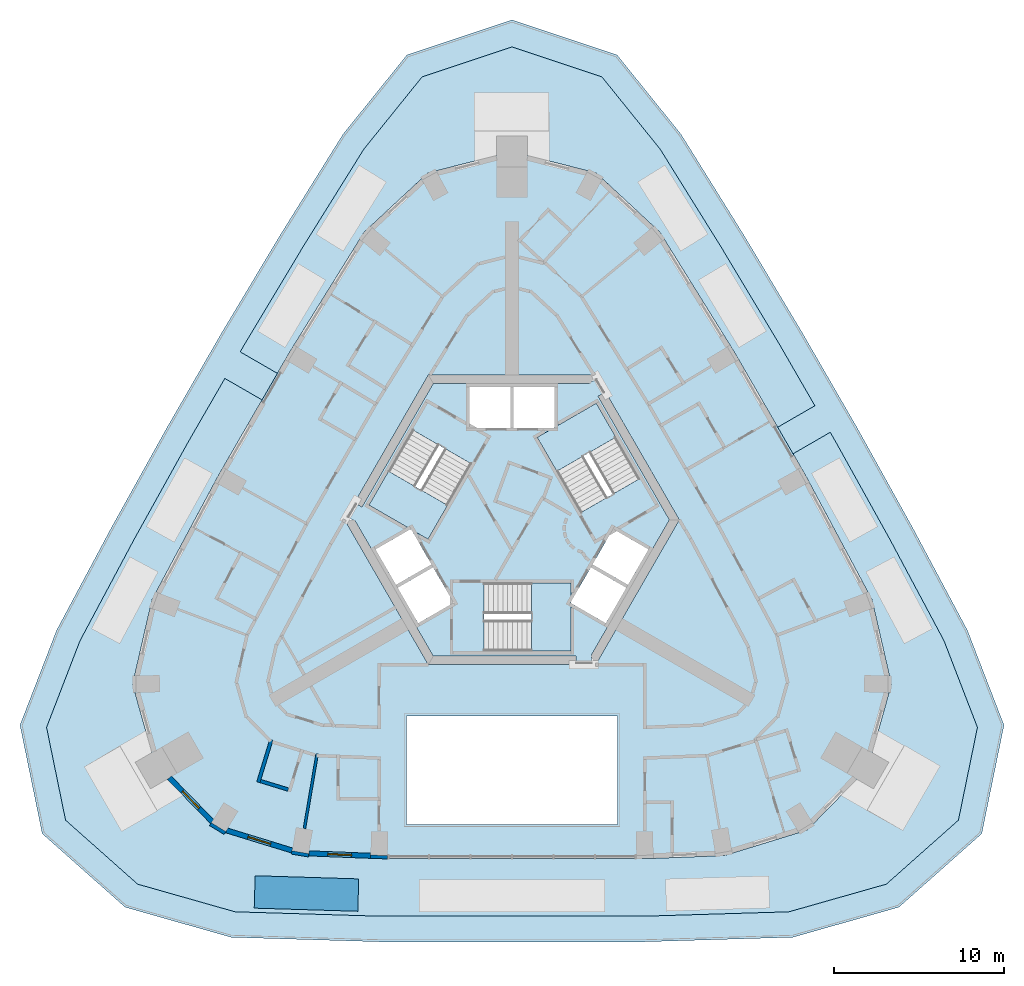
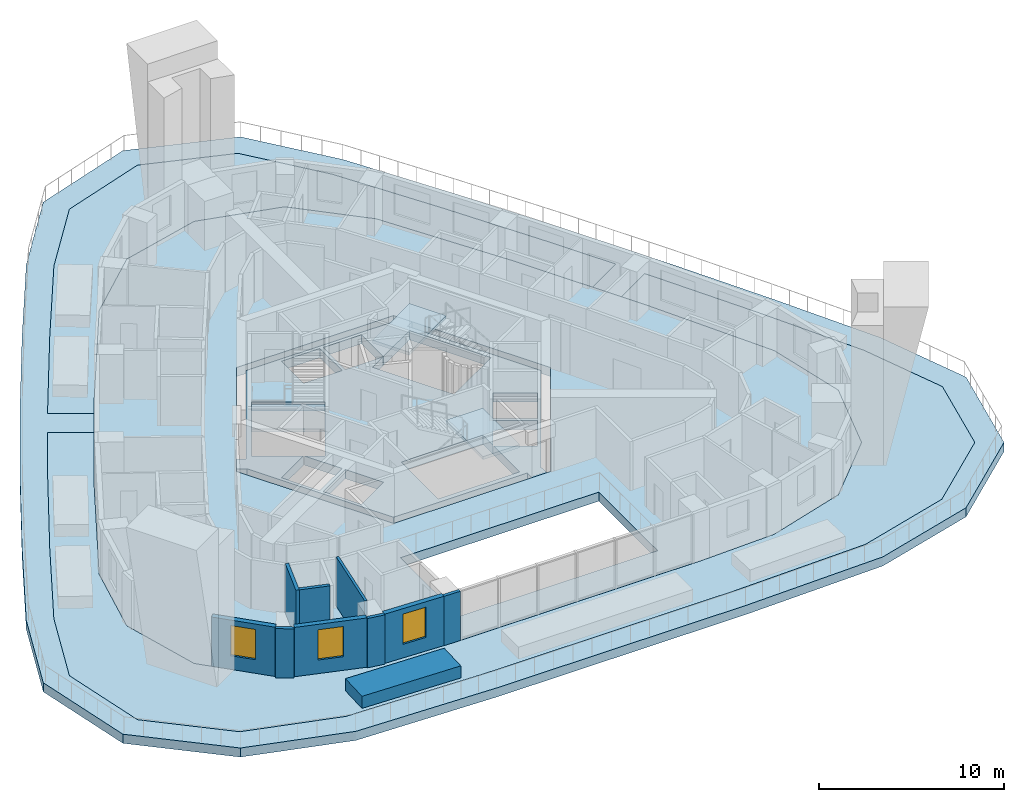
# One storey, part 2 of 12: 10 walls, 8 slabs, 3 windows, 3 openings, 3 elements without a shape of their own.
"""IFC4 building model written with IfcOpenShell, lengths in metres."""

from ifc_helpers import new_model, si_unit, direction, frame, frame_2d, origin, place, context, subcontext, project, spatial, polyline, rectangle, outline, extrude, material, layer, layer_set, type_object, element, fill, aggregate, save


model = new_model("IFC4")

# Units and contexts
model_context = context("Model", 3, precision=1e-05, world=origin(), true_north=direction((0.0, 1.0)))
body_context = subcontext(model_context, "Body", "Model", "MODEL_VIEW")
ifc_project = project(units=[si_unit("LENGTHUNIT", "METRE"), si_unit("AREAUNIT", "SQUARE_METRE"), si_unit("VOLUMEUNIT", "CUBIC_METRE"), si_unit("PLANEANGLEUNIT", "RADIAN"), si_unit("MASSUNIT", "GRAM", prefix="KILO")], contexts=[model_context])

# Site, building, storey
site_placement = place(None, origin())
site = spatial("IfcSite", under=ifc_project, at=site_placement, CompositionType="ELEMENT")
building_placement = place(site_placement, origin())
building = spatial("IfcBuilding", under=site, at=building_placement, Name="Entoto Arch Interchange Tower", CompositionType="ELEMENT")
storey_placement = place(building_placement, frame((0.0, 0.0, 286.39990234375)))
storey = spatial("IfcBuildingStorey", under=building, at=storey_placement, Name="L66", CompositionType="ELEMENT", Elevation=286.39990234375)

# Slab
ifc_material_1 = material(Name="Concrete C40/50", Category="concrete")
ifc_layer_1 = layer(ifc_material_1, 0.60009765625)
ifc_layer_set_1 = layer_set([ifc_layer_1], Name="Concrete C40/50")
slab_type_1 = type_object("IfcSlabType", Name="Core floor slab 600 C40/50", PredefinedType="FLOOR", material=ifc_layer_set_1)
slab_1_placement = place(storey_placement, frame((0.0, 0.0, -0.599853515625)))
element("IfcSlab", 1, at=slab_1_placement, inside=storey, type_object=slab_type_1, Name="Core floor slab L66", PredefinedType="FLOOR", context=body_context, shape_type="SweptSolid", body=[
    extrude(outline(polyline([(-9.208984375, 2.449951171875), (-9.222900390625, 2.425048828125), (-9.699951171875, 2.699951171875), (-9.236083984375, 3.501953125), (-8.802978515625, 3.2529296875), (-4.618896484375, 10.5), (4.56103515625, 10.5), (4.5458984375, 10.52490234375), (5.02197265625, 10.800048828125), (5.486083984375, 9.998046875), (5.052978515625, 9.748046875), (9.238037109375, 2.5), (4.64794921875, -5.449951171875), (4.676025390625, -5.449951171875), (4.676025390625, -6.0), (3.75, -6.0), (3.75, -5.5), (-4.618896484375, -5.5), (-9.208984375, 2.449951171875)]), holes=[polyline([(-1.64990234375, -5.199951171875), (3.449951171875, -5.199951171875), (3.449951171875, -2.3779296875), (5.5048828125, -3.56494140625), (6.705078125, -1.487060546875), (4.626953125, -0.287109375), (3.449951171875, -2.324951171875), (3.449951171875, -1.199951171875), (-1.64990234375, -1.199951171875), (-1.64990234375, -5.199951171875)]), polyline([(-4.626953125, -0.287109375), (-6.705078125, -1.487060546875), (-5.5048828125, -3.56494140625), (-3.427001953125, -2.364990234375), (-4.626953125, -0.287109375)]), polyline([(-5.904052734375, 1.925048828125), (-4.928955078125, 1.362060546875), (-2.37890625, 5.779052734375), (-5.843017578125, 7.779052734375), (-8.39306640625, 3.362060546875), (-5.949951171875, 1.951904296875), (-8.0048828125, 0.764892578125), (-6.804931640625, -1.31298828125), (-4.72705078125, -0.113037109375), (-5.904052734375, 1.925048828125)]), polyline([(4.72705078125, -0.113037109375), (6.804931640625, -1.31298828125), (8.0048828125, 0.764892578125), (5.927001953125, 1.965087890625), (4.72705078125, -0.113037109375)]), polyline([(2.5, 7.927001953125), (2.5, 10.300048828125), (0.10009765625, 10.300048828125), (0.10009765625, 7.89990234375), (2.452880859375, 7.89990234375), (1.47900390625, 7.337890625), (4.029052734375, 2.9208984375), (7.492919921875, 4.9208984375), (4.943115234375, 9.337890625), (2.5, 7.927001953125)]), polyline([(-2.5, 7.89990234375), (-0.10009765625, 7.89990234375), (-0.10009765625, 10.300048828125), (-2.5, 10.300048828125), (-2.5, 7.89990234375)])]), origin(), (0.0, 0.0, 1.0), 0.599853515625),
])

# Stair, slab
stair_type = type_object("IfcStairType", Name="EXIT STAIR RC 1800", PredefinedType="HALF_TURN_STAIR", material=ifc_material_1)
stair_1_placement = place(storey_placement, origin())
stair_1 = element("IfcStair", 2, at=stair_1_placement, inside=storey, type_object=stair_type, Name="L66 Exit stair S", PredefinedType="HALF_TURN_STAIR")
ifc_layer_2 = layer(ifc_material_1, 0.199951171875)
ifc_layer_set_2 = layer_set([ifc_layer_2], Name="Concrete C40/50")
slab_type_2 = type_object("IfcSlabType", Name="EXIT STAIR LANDING RC 200", PredefinedType="LANDING", material=ifc_layer_set_2)
slab_2_placement = place(storey_placement, frame((0.0, 0.0, 1.60009765625)))
slab_2 = element("IfcSlab", 3, at=slab_2_placement, type_object=slab_type_2, Name="ST-S landing 1", PredefinedType="LANDING", context=body_context, shape_type="SweptSolid", body=[
    extrude(outline(polyline([(1.14990234375, -5.199951171875), (3.449951171875, -5.199951171875), (3.449951171875, -1.199951171875), (1.14990234375, -1.199951171875), (1.14990234375, -5.199951171875)])), origin(), (0.0, 0.0, 1.0), 0.199951171875),
])
aggregate(stair_1, [slab_2])

stair_2_placement = place(storey_placement, origin())
stair_2 = element("IfcStair", 4, at=stair_2_placement, inside=storey, type_object=stair_type, Name="L66 Exit stair NE", PredefinedType="HALF_TURN_STAIR")
slab_3_placement = place(storey_placement, frame((0.0, 0.0, 1.60009765625)))
slab_3 = element("IfcSlab", 5, at=slab_3_placement, type_object=slab_type_2, Name="ST-NE landing 1", PredefinedType="LANDING", context=body_context, shape_type="SweptSolid", body=[
    extrude(outline(polyline([(6.093505859375, 7.345947265625), (4.943359375, 9.337890625), (1.479248046875, 7.337890625), (2.62939453125, 5.345947265625), (6.093505859375, 7.345947265625)])), origin(), (0.0, 0.0, 1.0), 0.199951171875),
])
aggregate(stair_2, [slab_3])

stair_3_placement = place(storey_placement, origin())
stair_3 = element("IfcStair", 6, at=stair_3_placement, inside=storey, type_object=stair_type, Name="L66 Exit stair NW", PredefinedType="HALF_TURN_STAIR")
slab_4_placement = place(storey_placement, frame((0.0, 0.0, 1.60009765625)))
slab_4 = element("IfcSlab", 7, at=slab_4_placement, type_object=slab_type_2, Name="ST-NW landing 1", PredefinedType="LANDING", context=body_context, shape_type="SweptSolid", body=[
    extrude(outline(polyline([(-7.243408203125, 5.35400390625), (-8.393310546875, 3.3623046875), (-4.92919921875, 1.3623046875), (-3.779296875, 3.35400390625), (-7.243408203125, 5.35400390625)])), origin(), (0.0, 0.0, 1.0), 0.199951171875),
])
aggregate(stair_3, [slab_4])

# Slabs
ifc_layer_3 = layer(ifc_material_1, 0.60009765625)
ifc_layer_set_3 = layer_set([ifc_layer_3], Name="Concrete C40/50")
slab_type_3 = type_object("IfcSlabType", Name="Post-tensioned flat plate 600 C40/50", PredefinedType="FLOOR", material=ifc_layer_set_3)
slab_5_placement = place(storey_placement, frame((0.0, 0.0, -0.599853515625)))
element("IfcSlab", 8, at=slab_5_placement, inside=storey, type_object=slab_type_3, Name="Floor slab L66", PredefinedType="FLOOR", context=body_context, shape_type="SweptSolid", body=[
    extrude(outline(polyline([(-12.447998046875, -17.197998046875), (-7.800048828125, -17.381103515625), (7.800048828125, -17.381103515625), (12.447998046875, -17.197998046875), (17.319091796875, -15.700927734375), (20.8779296875, -12.053955078125), (22.257080078125, -7.14794921875), (21.117919921875, -2.180908203125), (17.201904296875, 5.138916015625), (13.051025390625, 12.327880859375), (8.669921875, 19.37890625), (4.93798828125, 22.84912109375), (0.0, 24.10791015625), (-4.93798828125, 22.84912109375), (-8.669921875, 19.37890625), (-13.051025390625, 12.327880859375), (-17.201904296875, 5.138916015625), (-21.117919921875, -2.180908203125), (-22.257080078125, -7.14794921875), (-20.8779296875, -12.053955078125), (-17.319091796875, -15.700927734375), (-12.447998046875, -17.197998046875)]), holes=[polyline([(6.199951171875, -15.381103515625), (6.199951171875, -9.0), (-6.199951171875, -9.0), (-6.199951171875, -15.381103515625), (6.199951171875, -15.381103515625)]), polyline([(9.81494140625, 2.5), (4.906982421875, 11.0), (-4.906982421875, 11.0), (-9.81494140625, 2.5), (-4.906982421875, -6.0), (4.906982421875, -6.0), (9.81494140625, 2.5)])]), origin(), (0.0, 0.0, 1.0), 0.599853515625),
])
ifc_layer_4 = layer(ifc_material_1, 0.60009765625)
ifc_layer_set_4 = layer_set([ifc_layer_4], Name="Concrete C40/50")
slab_type_4 = type_object("IfcSlabType", Name="Post-tensioned planter bed slab 600 C40/50", PredefinedType="ROOF", material=ifc_layer_set_4)
slab_6_placement = place(storey_placement, frame((0.0, 0.0, -0.599853515625)))
element("IfcSlab", 9, at=slab_6_placement, inside=storey, type_object=slab_type_4, Name="Planter bed slab L66", PredefinedType="ROOF", context=body_context, shape_type="SweptSolid", body=[
    extrude(outline(polyline([(7.800048828125, -17.381103515625), (-7.800048828125, -17.381103515625), (-12.447998046875, -17.197998046875), (-17.319091796875, -15.700927734375), (-20.8779296875, -12.053955078125), (-22.257080078125, -7.14794921875), (-21.117919921875, -2.180908203125), (-17.201904296875, 5.138916015625), (-14.6640625, 9.533935546875), (-16.845947265625, 10.7939453125), (-18.9599609375, 7.133056640625), (-22.16796875, 1.35888671875), (-25.346923828125, -4.59912109375), (-27.306884765625, -9.676025390625), (-26.19091796875, -15.1220703125), (-21.9609375, -18.8759765625), (-16.2490234375, -20.4970703125), (-7.777099609375, -20.75390625), (7.777099609375, -20.75390625), (16.2490234375, -20.4970703125), (21.9609375, -18.8759765625), (26.19091796875, -15.1220703125), (27.306884765625, -9.676025390625), (25.346923828125, -4.59912109375), (22.16796875, 1.35888671875), (18.9599609375, 7.133056640625), (18.669921875, 7.634033203125), (16.489013671875, 6.3740234375), (17.201904296875, 5.138916015625), (21.117919921875, -2.180908203125), (22.257080078125, -7.14794921875), (20.8779296875, -12.053955078125), (17.319091796875, -15.700927734375), (12.447998046875, -17.197998046875), (7.800048828125, -17.381103515625)])), origin(), (0.0, 0.0, 1.0), 0.599853515625),
])
slab_7_placement = place(storey_placement, frame((0.0, 0.0, -0.599853515625)))
element("IfcSlab", 10, at=slab_7_placement, inside=storey, type_object=slab_type_4, Name="Planter bed slab L66", PredefinedType="ROOF", context=body_context, shape_type="SweptSolid", body=[
    extrude(outline(polyline([(-13.763916015625, 11.093017578125), (-13.051025390625, 12.327880859375), (-8.669921875, 19.37890625), (-4.93798828125, 22.84912109375), (0.0, 24.10791015625), (4.93798828125, 22.84912109375), (8.669921875, 19.37890625), (13.051025390625, 12.327880859375), (15.589111328125, 7.93310546875), (17.77001953125, 9.193115234375), (15.656982421875, 12.85302734375), (12.260009765625, 18.51904296875), (8.68994140625, 24.25), (5.27392578125, 28.487060546875), (0.0, 30.242919921875), (-5.27392578125, 28.487060546875), (-8.68994140625, 24.25), (-12.260009765625, 18.51904296875), (-15.656982421875, 12.85302734375), (-15.946044921875, 12.35302734375), (-13.763916015625, 11.093017578125)])), origin(), (0.0, 0.0, 1.0), 0.599853515625),
])
ifc_layer_5 = layer(ifc_material_1, 0.60009765625)
ifc_layer_set_5 = layer_set([ifc_layer_5], Name="Concrete C40/50")
slab_type_5 = type_object("IfcSlabType", Name="Post-tensioned terrace slab 600 C40/50", PredefinedType="FLOOR", material=ifc_layer_set_5)
slab_8_placement = place(storey_placement, frame((0.0, 0.0, -0.599853515625)))
element("IfcSlab", 11, at=slab_8_placement, inside=storey, type_object=slab_type_5, Name="Ring terrace slab L66", PredefinedType="FLOOR", context=body_context, shape_type="SweptSolid", body=[
    extrude(outline(polyline([(-28.864990234375, -9.5458984375), (-27.56005859375, -15.912109375), (-22.699951171875, -20.22509765625), (-16.47998046875, -21.990966796875), (-7.800048828125, -22.25390625), (7.800048828125, -22.25390625), (16.47998046875, -21.990966796875), (22.699951171875, -20.22509765625), (27.56005859375, -15.912109375), (28.864990234375, -9.5458984375), (26.712890625, -3.972900390625), (23.485107421875, 2.075927734375), (20.264892578125, 7.8720703125), (16.949951171875, 13.614013671875), (13.5400390625, 19.301025390625), (9.9150390625, 25.12109375), (6.1650390625, 29.77099609375), (0.0, 31.823974609375), (-6.1650390625, 29.77099609375), (-9.9150390625, 25.12109375), (-13.5400390625, 19.301025390625), (-16.949951171875, 13.614013671875), (-20.264892578125, 7.8720703125), (-23.485107421875, 2.075927734375), (-26.712890625, -3.972900390625), (-28.864990234375, -9.5458984375)]), holes=[polyline([(15.656982421875, 12.85302734375), (12.260009765625, 18.51904296875), (8.68994140625, 24.25), (5.27392578125, 28.487060546875), (0.0, 30.242919921875), (-5.27392578125, 28.487060546875), (-8.68994140625, 24.25), (-12.260009765625, 18.51904296875), (-15.656982421875, 12.85302734375), (-15.946044921875, 12.35302734375), (-13.763916015625, 11.093017578125), (-14.6640625, 9.533935546875), (-16.845947265625, 10.7939453125), (-18.9599609375, 7.133056640625), (-22.16796875, 1.35888671875), (-25.346923828125, -4.59912109375), (-27.306884765625, -9.676025390625), (-26.19091796875, -15.1220703125), (-21.9609375, -18.8759765625), (-16.2490234375, -20.4970703125), (-7.777099609375, -20.75390625), (7.777099609375, -20.75390625), (16.2490234375, -20.4970703125), (21.9609375, -18.8759765625), (26.19091796875, -15.1220703125), (27.306884765625, -9.676025390625), (25.346923828125, -4.59912109375), (22.16796875, 1.35888671875), (18.9599609375, 7.133056640625), (18.669921875, 7.634033203125), (16.489013671875, 6.3740234375), (15.589111328125, 7.93310546875), (17.77001953125, 9.193115234375), (15.656982421875, 12.85302734375)])]), origin(), (0.0, 0.0, 1.0), 0.599853515625),
])

# Walls
ifc_material_2 = material(Name="Gypsum board partition on steel studs", Category="steel")
ifc_layer_6 = layer(ifc_material_2, 0.14990234375)
ifc_layer_set_6 = layer_set([ifc_layer_6], Name="Gypsum board partition on steel studs")
wall_type_1 = type_object("IfcWallType", Name="PARTITION 150", PredefinedType="PARTITIONING", material=ifc_layer_set_6)
wall_1_placement = place(storey_placement, frame((-11.431884765625, -11.23388671875, 0.0), z_axis=(0.0, 0.0, 1.0), x_axis=(-0.16797255243, -0.98579167253, 0.0)))
element("IfcWall", 12, at=wall_1_placement, inside=storey, type_object=wall_type_1, Name="wall:L66:p130", PredefinedType="PARTITIONING", context=body_context, shape_type="SweptSolid", body=[
    extrude(rectangle(XDim=4.43017578125, YDim=0.14990234375, at=frame_2d((2.215087890625, 0.0))), origin(), (0.0, 0.0, 1.0), 3.260009765625),
])
ifc_layer_7 = layer(ifc_material_2, 0.199951171875)
ifc_layer_set_7 = layer_set([ifc_layer_7], Name="Gypsum board partition on steel studs")
wall_type_2 = type_object("IfcWallType", Name="PARTITION 200", PredefinedType="PARTITIONING", material=ifc_layer_set_7)
wall_2_placement = place(storey_placement, frame((-14.117919921875, -10.407958984375, 0.0), z_axis=(0.0, 0.0, 1.0), x_axis=(-0.293914282011, -0.955831781659, 0.0)))
element("IfcWall", 13, at=wall_2_placement, inside=storey, type_object=wall_type_2, Name="wall:L66:p127", PredefinedType="PARTITIONING", context=body_context, shape_type="SweptSolid", body=[
    extrude(rectangle(XDim=2.599853515625, YDim=0.199951171875, at=frame_2d((1.2998046875, 0.0))), origin(), (0.0, 0.0, 1.0), 3.260009765625),
])
wall_3_placement = place(storey_placement, frame((-14.757080078125, -12.826904296875, 0.0), z_axis=(0.0, 0.0, 1.0), x_axis=(0.955940341053, -0.293561006177, 0.0)))
element("IfcWall", 14, at=wall_3_placement, inside=storey, type_object=wall_type_2, Name="wall:L66:p128", PredefinedType="PARTITIONING", context=body_context, shape_type="SweptSolid", body=[
    extrude(rectangle(XDim=1.699951171875, YDim=0.199951171875, at=frame_2d((0.85009765625, 0.0))), origin(), (0.0, 0.0, 1.0), 3.260009765625),
])
ifc_material_3 = material(Name="Board-marked precast concrete C50/60", Category="concrete")
ifc_layer_8 = layer(ifc_material_3, 1.89990234375)
ifc_layer_set_8 = layer_set([ifc_layer_8], Name="Board-marked precast concrete C50/60")
wall_type_3 = type_object("IfcWallType", Name="PLANTER RC 1900 Olea europaea subsp. cuspidata", PredefinedType="STANDARD", material=ifc_layer_set_8)
wall_4_placement = place(storey_placement, frame((-15.095947265625, -19.33203125, 0.0), z_axis=(0.0, 0.0, 1.0), x_axis=(0.999541363362, -0.030283046891, 0.0)))
element("IfcWall", 15, at=wall_4_placement, inside=storey, type_object=wall_type_3, Name="Terrace planter S-01 L66", PredefinedType="STANDARD", context=body_context, shape_type="SweptSolid", body=[
    extrude(rectangle(XDim=6.07861328125, YDim=1.89990234375, at=frame_2d((3.039306640625, 0.0))), origin(), (0.0, 0.0, 1.0), 0.800048828125),
])

# Wall, opening, window
ifc_material_4 = material(Name="Welded tuff (ignimbrite) cladding, warm buff", Category="masonry")
ifc_layer_9 = layer(ifc_material_4, 0.300048828125)
ifc_layer_set_9 = layer_set([ifc_layer_9], Name="Welded tuff (ignimbrite) cladding, warm buff")
wall_type_4 = type_object("IfcWallType", Name="STONE INFILL WALL 300", PredefinedType="STANDARD", material=ifc_layer_set_9)
wall_5_placement = place(storey_placement, frame((-11.919921875, -17.069091796875, 0.0), z_axis=(0.0, 0.0, 1.0), x_axis=(0.999234893779, -0.039110446866, 0.0)))
wall_5 = element("IfcWall", 16, at=wall_5_placement, inside=storey, type_object=wall_type_4, Name="Facade wall S-01 L66", PredefinedType="STANDARD", context=body_context, shape_type="SweptSolid", body=[
    extrude(rectangle(XDim=3.626708984375, YDim=0.300048828125, at=frame_2d((1.8134765625, 0.0))), origin(), (0.0, 0.0, 1.0), 3.260009765625),
])
opening_1_placement = place(wall_5_placement, frame((1.113037109375, 0.0, 0.89990234375)))
opening_1 = element("IfcOpeningElement", 17, at=opening_1_placement, cuts=wall_5, Name="Opening WH-B", PredefinedType="OPENING", context=body_context, shape_type="SweptSolid", body=[
    extrude(rectangle(XDim=1.39990234375, YDim=2.0, at=frame_2d((0.699951171875, 1.0))), frame((0.0, 0.16015625, 0.0), z_axis=(0.0, -1.0, 0.0), x_axis=(1.0, 0.0, 0.0)), (0.0, 0.0, 1.0), 0.320068359375),
])
ifc_material_5 = material(Name="Clear glass, low-e double glazed", Category="glass")
window_type = type_object("IfcWindowType", Name="WINDOW WH-B 1400x2000", PartitioningType="DOUBLE_PANEL_VERTICAL", PredefinedType="WINDOW", material=ifc_material_5)
window_1_placement = place(opening_1_placement, origin())
window_1 = element("IfcWindow", 18, at=window_1_placement, inside=storey, type_object=window_type, Name="Window WH-B S-01 L66", OverallHeight=2.0, OverallWidth=1.39990234375, PartitioningType="SINGLE_PANEL", PredefinedType="WINDOW", context=body_context, shape_type="SweptSolid", body=[
    extrude(rectangle(XDim=1.39990234375, YDim=2.0, at=frame_2d((0.699951171875, 1.0))), frame((0.0, 0.030029296875, 0.0), z_axis=(0.0, -1.0, 0.0), x_axis=(1.0, 0.0, 0.0)), (0.0, 0.0, 1.0), 0.06005859375),
])
fill(opening_1, window_1)

wall_6_placement = place(storey_placement, frame((-20.095947265625, -12.64111328125, 0.0), z_axis=(0.0, 0.0, 1.0), x_axis=(0.698555868355, -0.715555517614, 0.0)))
wall_6 = element("IfcWall", 19, at=wall_6_placement, inside=storey, type_object=wall_type_4, Name="Facade wall SW-03 L66", PredefinedType="STANDARD", context=body_context, shape_type="SweptSolid", body=[
    extrude(rectangle(XDim=3.575927734375, YDim=0.300048828125, at=frame_2d((1.7880859375, 0.0))), origin(), (0.0, 0.0, 1.0), 3.260009765625),
])
opening_2_placement = place(wall_6_placement, frame((1.087890625, 0.0, 0.89990234375)))
opening_2 = element("IfcOpeningElement", 20, at=opening_2_placement, cuts=wall_6, Name="Opening WH-B", PredefinedType="OPENING", context=body_context, shape_type="SweptSolid", body=[
    extrude(rectangle(XDim=1.39990234375, YDim=2.0, at=frame_2d((0.699951171875, 1.0))), frame((0.0, 0.16015625, 0.0), z_axis=(0.0, -1.0, 0.0), x_axis=(1.0, 0.0, 0.0)), (0.0, 0.0, 1.0), 0.320068359375),
])
window_2_placement = place(opening_2_placement, origin())
window_2 = element("IfcWindow", 21, at=window_2_placement, inside=storey, type_object=window_type, Name="Window WH-B SW-03 L66", OverallHeight=2.0, OverallWidth=1.39990234375, PartitioningType="SINGLE_PANEL", PredefinedType="WINDOW", context=body_context, shape_type="SweptSolid", body=[
    extrude(rectangle(XDim=1.39990234375, YDim=2.0, at=frame_2d((0.699951171875, 1.0))), frame((0.0, 0.030029296875, 0.0), z_axis=(0.0, -1.0, 0.0), x_axis=(1.0, 0.0, 0.0)), (0.0, 0.0, 1.0), 0.06005859375),
])
fill(opening_2, window_2)

wall_7_placement = place(storey_placement, frame((-16.74609375, -15.719970703125, 0.0), z_axis=(0.0, 0.0, 1.0), x_axis=(0.955866957005, -0.293799864716, 0.0)))
wall_7 = element("IfcWall", 22, at=wall_7_placement, inside=storey, type_object=wall_type_4, Name="Facade wall SW-04 L66", PredefinedType="STANDARD", context=body_context, shape_type="SweptSolid", body=[
    extrude(rectangle(XDim=4.01953125, YDim=0.300048828125, at=frame_2d((2.009765625, 0.0))), origin(), (0.0, 0.0, 1.0), 3.260009765625),
])
opening_3_placement = place(wall_7_placement, frame((1.31005859375, 0.0, 0.89990234375)))
opening_3 = element("IfcOpeningElement", 23, at=opening_3_placement, cuts=wall_7, Name="Opening WH-B", PredefinedType="OPENING", context=body_context, shape_type="SweptSolid", body=[
    extrude(rectangle(XDim=1.39990234375, YDim=2.0, at=frame_2d((0.699951171875, 1.0))), frame((0.0, 0.16015625, 0.0), z_axis=(0.0, -1.0, 0.0), x_axis=(1.0, 0.0, 0.0)), (0.0, 0.0, 1.0), 0.320068359375),
])
window_3_placement = place(opening_3_placement, origin())
window_3 = element("IfcWindow", 24, at=window_3_placement, inside=storey, type_object=window_type, Name="Window WH-B SW-04 L66", OverallHeight=2.0, OverallWidth=1.39990234375, PartitioningType="SINGLE_PANEL", PredefinedType="WINDOW", context=body_context, shape_type="SweptSolid", body=[
    extrude(rectangle(XDim=1.39990234375, YDim=2.0, at=frame_2d((0.699951171875, 1.0))), frame((0.0, 0.030029296875, 0.0), z_axis=(0.0, -1.0, 0.0), x_axis=(1.0, 0.0, 0.0)), (0.0, 0.0, 1.0), 0.06005859375),
])
fill(opening_3, window_3)

# Walls
ifc_layer_10 = layer(ifc_material_4, 0.199951171875)
ifc_layer_set_10 = layer_set([ifc_layer_10], Name="Welded tuff (ignimbrite) cladding, warm buff")
wall_type_5 = type_object("IfcWallType", Name="STONE PIER CLADDING 200", PredefinedType="STANDARD", material=ifc_layer_set_10)
for number, where, z_axis, x_axis, name in (
    (25, (-12.924072265625, -17.014892578125, 0.0), (0.0, 0.0, 1.0), (0.985760116403, -0.168157643031, 0.0), "Stone pier S01 L66"),
    (26, (-8.298095703125, -17.27099609375, 0.0), (0.0, 0.0, 1.0), (0.999799669399, -0.020015520725, 0.0), "Stone pier S02 L66"),
):
    element("IfcWall", number, at=place(storey_placement, frame(where, z_axis=z_axis, x_axis=x_axis)), inside=storey, type_object=wall_type_5, Name=name, PredefinedType="STANDARD", context=body_context, shape_type="SweptSolid", body=[
        extrude(rectangle(XDim=1.000244140625, YDim=0.199951171875, at=frame_2d((0.5, 0.0))), origin(), (0.0, 0.0, 1.0), 3.260009765625),
    ])
wall_8_placement = place(storey_placement, frame((-17.694091796875, -15.35498046875, 0.0), z_axis=(0.0, 0.0, 1.0), x_axis=(0.853679739553, -0.520798331677, 0.0)))
element("IfcWall", 27, at=wall_8_placement, inside=storey, type_object=wall_type_5, Name="Stone pier SW3 L66", PredefinedType="STANDARD", context=body_context, shape_type="SweptSolid", body=[
    extrude(rectangle(XDim=1.00048828125, YDim=0.199951171875, at=frame_2d((0.500244140625, 0.0))), origin(), (0.0, 0.0, 1.0), 3.260009765625),
])

save(model, "model.ifc")
